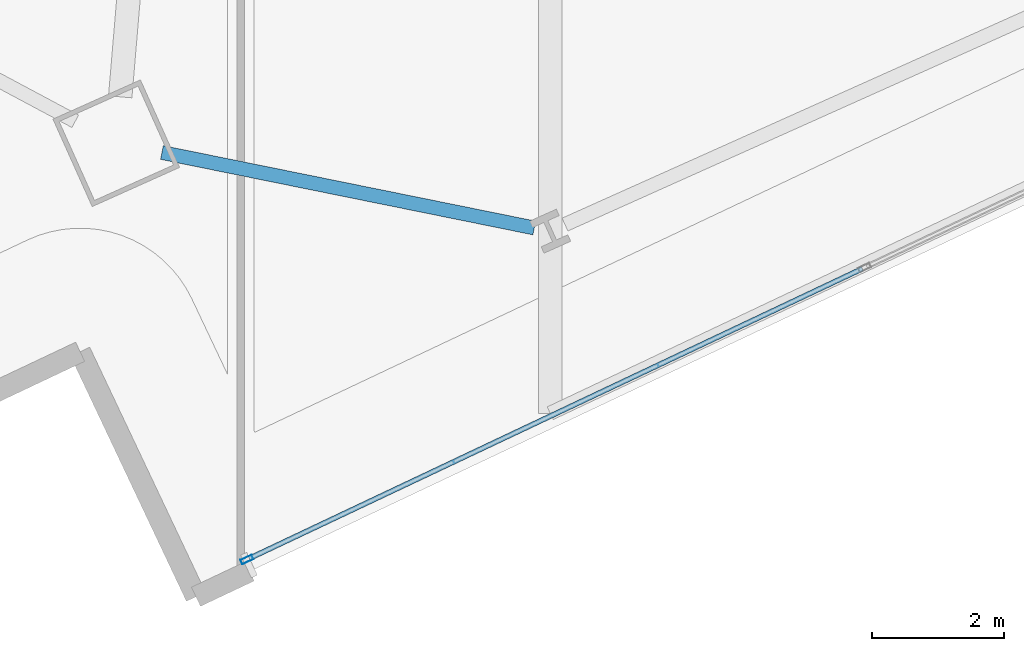
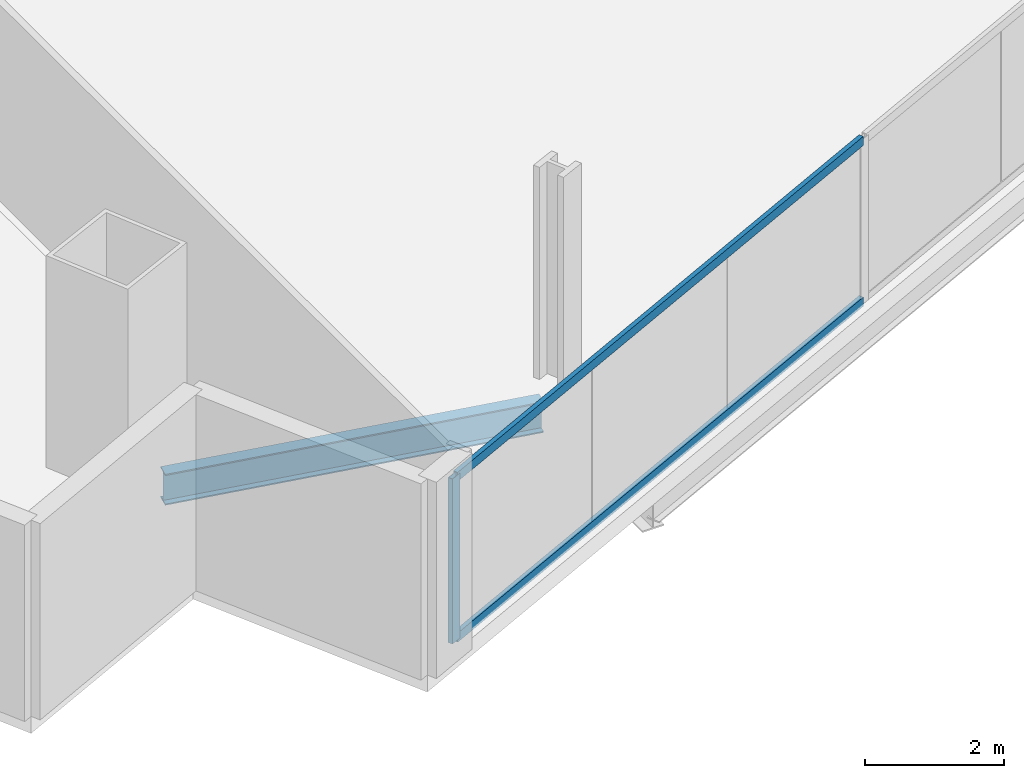
# One storey, part 3 of 34: 3 members, 1 beam, 1 element without a shape of its own.
"""IFC4 building model written with IfcOpenShell, lengths in metres."""

from ifc_helpers import new_model, si_unit, direction, frame, origin, origin_2d, place, context, subcontext, project, spatial, hollow_rectangle, i_section, extrude, material, material_profile, profile_set, type_object, element, aggregate, save


model = new_model("IFC4")

# Units and contexts
model_context = context("Model", 3, precision=1e-05, world=origin(), true_north=direction((0.0, 1.0)))
body_context = subcontext(model_context, "Body", "Model", "MODEL_VIEW")
ifc_project = project(units=[si_unit("LENGTHUNIT", "METRE"), si_unit("AREAUNIT", "SQUARE_METRE"), si_unit("VOLUMEUNIT", "CUBIC_METRE"), si_unit("PLANEANGLEUNIT", "RADIAN"), si_unit("MASSUNIT", "GRAM", prefix="KILO")], contexts=[model_context])

# Site, building, storey
site_placement = place(None, origin())
site = spatial("IfcSite", under=ifc_project, at=site_placement, CompositionType="ELEMENT")
building_placement = place(site_placement, origin())
building = spatial("IfcBuilding", under=site, at=building_placement, Name="Haldenkirk Collegiate Tower", CompositionType="ELEMENT")
storey_placement = place(building_placement, frame((0.0, 0.0, 112.949951171875)))
storey = spatial("IfcBuildingStorey", under=building, at=storey_placement, Name="L27", CompositionType="ELEMENT", Elevation=112.949951171875)

# Beam
ifc_material_1 = material(Name="Steel ASTM A992 Grade 50", Category="steel")
ifc_material_profile_1 = material_profile(ifc_material_1, i_section(OverallWidth=0.2119140625, OverallDepth=0.5439453125, WebThickness=0.01318359375, FlangeThickness=0.021240234375, at=origin_2d()), Name="W21X83")
ifc_profile_set_1 = profile_set([ifc_material_profile_1], Name="Steel ASTM A992 Grade 50")
beam_type = type_object("IfcBeamType", Name="BM-SPANDREL-W21X83", PredefinedType="SPANDREL", material=ifc_profile_set_1)
beam_placement = place(storey_placement, frame((26.3076171875, 1.477783203125, -0.572021484375), z_axis=(0.980077587146, -0.19861501246, 0.0), x_axis=(0.19861501246, 0.980077587146, 0.0)))
element("IfcBeam", 1, at=beam_placement, inside=storey, type_object=beam_type, Name="L27 perimeter spandrel beam 01", PredefinedType="SPANDREL", context=body_context, shape_type="SweptSolid", body=[
    extrude(i_section(OverallWidth=0.2119140625, OverallDepth=0.5439453125, WebThickness=0.01318359375, FlangeThickness=0.021240234375, at=origin_2d()), origin(), (0.0, 0.0, 1.0), 5.747802734375),
])

# Curtain wall, members
ifc_material_2 = material(Name="Anodised architectural bronze aluminium", Category="aluminium")
curtain_wall_type = type_object("IfcCurtainWallType", Name="CW-SYS2-CONCAVE", PredefinedType="USERDEFINED", material=ifc_material_2)
curtain_wall_placement = place(storey_placement, origin())
curtain_wall = element("IfcCurtainWall", 2, at=curtain_wall_placement, inside=storey, type_object=curtain_wall_type, Name="L27 South concave recessed bronze-anodised curtain wall", ObjectType="UNITISED CURTAIN WALL", PredefinedType="USERDEFINED")
ifc_material_profile_2 = material_profile(ifc_material_2, hollow_rectangle(XDim=0.074951171875, YDim=0.18994140625, WallThickness=0.0048828125, at=origin_2d()), Name="CW-MUL-02")
ifc_profile_set_2 = profile_set([ifc_material_profile_2], Name="Anodised architectural bronze aluminium")
member_type_1 = type_object("IfcMemberType", Name="CW-MUL-02", PredefinedType="MULLION", material=ifc_profile_set_2)
member_1_placement = place(storey_placement, frame((27.5927734375, -4.6806640625, 0.0), z_axis=(0.0, 0.0, 1.0), x_axis=(0.42735906226, -0.904081982955, 0.0)))
member_1 = element("IfcMember", 3, at=member_1_placement, type_object=member_type_1, Name="CW-02 mullion 5", PredefinedType="MULLION", context=body_context, shape_type="SweptSolid", body=[
    extrude(hollow_rectangle(XDim=0.074951171875, YDim=0.18994140625, WallThickness=0.0048828125, at=origin_2d()), origin(), (0.0, 0.0, 1.0), 2.901123046875),
])
ifc_material_profile_3 = material_profile(ifc_material_2, hollow_rectangle(XDim=0.074951171875, YDim=0.159912109375, WallThickness=0.0048828125, at=origin_2d()), Name="CW-TRN-02")
ifc_profile_set_3 = profile_set([ifc_material_profile_3], Name="Anodised architectural bronze aluminium")
member_type_2 = type_object("IfcMemberType", Name="CW-TRN-02", PredefinedType="USERDEFINED", material=ifc_profile_set_3)
member_2_placement = place(storey_placement, frame((36.90478515625, -0.279052734375, 0.03759765625), z_axis=(-0.904081959584, -0.427359111701, 0.0), x_axis=(0.427359111701, -0.904081959584, 0.0)))
member_2 = element("IfcMember", 4, at=member_2_placement, type_object=member_type_2, Name="CW-02 transom 4.1", ObjectType="TRANSOM", PredefinedType="USERDEFINED", context=body_context, shape_type="SweptSolid", body=[
    extrude(hollow_rectangle(XDim=0.074951171875, YDim=0.159912109375, WallThickness=0.0048828125, at=origin_2d()), origin(), (0.0, 0.0, 1.0), 10.262451171875),
])
member_3_placement = place(storey_placement, frame((36.90478515625, -0.279052734375, 2.863525390625), z_axis=(-0.904081959584, -0.427359111701, 0.0), x_axis=(0.427359111701, -0.904081959584, 0.0)))
member_3 = element("IfcMember", 5, at=member_3_placement, type_object=member_type_2, Name="CW-02 transom 4.2", ObjectType="TRANSOM", PredefinedType="USERDEFINED", context=body_context, shape_type="SweptSolid", body=[
    extrude(hollow_rectangle(XDim=0.074951171875, YDim=0.159912109375, WallThickness=0.0048828125, at=origin_2d()), origin(), (0.0, 0.0, 1.0), 10.262451171875),
])
aggregate(curtain_wall, [member_1, member_2, member_3])

save(model, "model.ifc")
